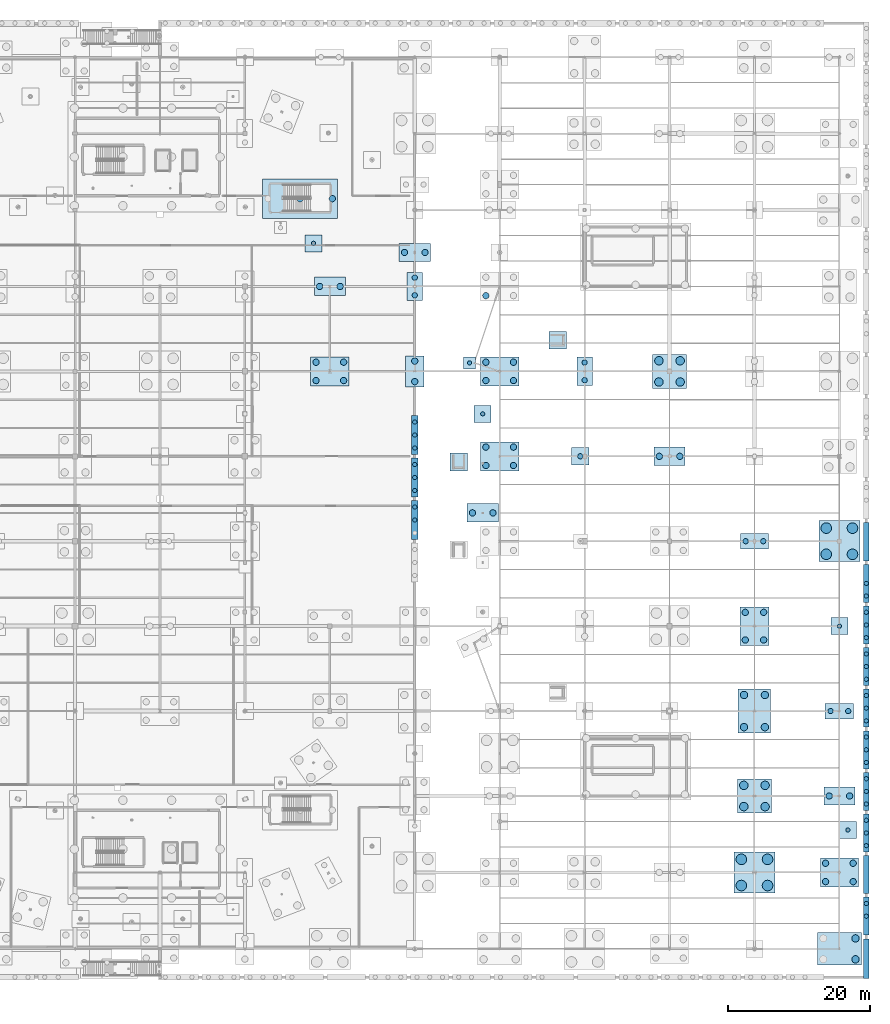
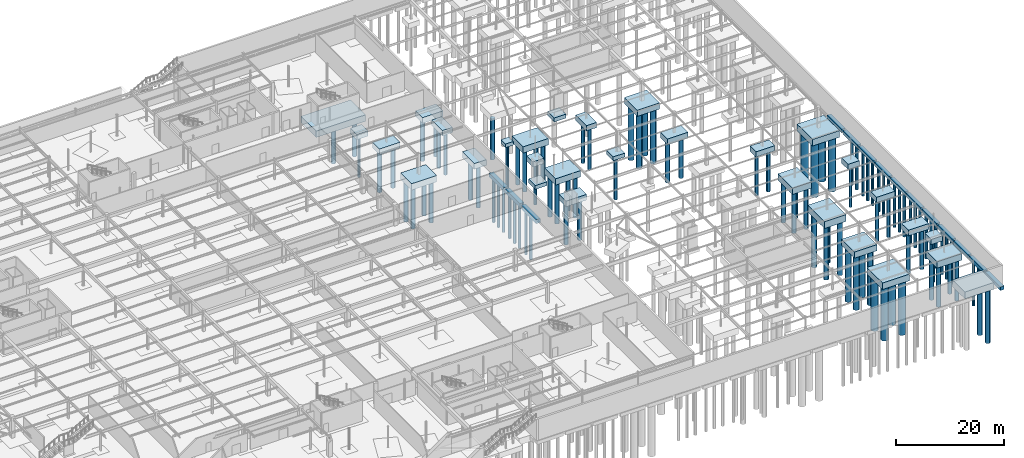
# One storey, part 7 of 136: 101 piles, 44 footings.
"""IFC4 building model written with IfcOpenShell, lengths in metres."""

import ifcopenshell
import ifcopenshell.guid

model = None  # the IFC model being written
_history = None  # IfcOwnerHistory: only IFC2X3 demands one
_inside = {}  # id of a spatial element -> (the spatial element, [elements in it])
_under = {}  # id of a project, library or spatial element -> (it, [spatial elements below it])
_declared = {}  # id of a project -> (the project, [libraries it declares])
_typed = {}  # id of a type object -> (the type object, [elements of that type])
_made_of = {}  # id of a material, layer set ... -> (it, [elements and type objects made of it])


def new_model(schema):
    """Start an empty IFC model of exactly this schema.

    Asked for "IFC4X3", IfcOpenShell would pick the latest addendum, in which some entities
    have other attributes; the version numbers below select the first issue.
    IFC2X3 requires an IfcOwnerHistory on every rooted entity: one is made here for all.
    """
    global model, _history
    if schema == "IFC4X3":
        model = ifcopenshell.file(schema_version=(4, 3, 0, 0))
    else:
        model = ifcopenshell.file(schema=schema)
    _inside.clear()
    _under.clear()
    _declared.clear()
    _typed.clear()
    _made_of.clear()
    _history = None
    if model.schema == "IFC2X3":
        org = make("IfcOrganization", Name="unknown")
        user = make(
            "IfcPersonAndOrganization",
            ThePerson=make("IfcPerson", FamilyName="unknown"),
            TheOrganization=org,
        )
        app = make(
            "IfcApplication",
            ApplicationDeveloper=org,
            Version="unknown",
            ApplicationFullName="unknown",
            ApplicationIdentifier="unknown",
        )
        _history = make(
            "IfcOwnerHistory",
            OwningUser=user,
            OwningApplication=app,
            ChangeAction="ADDED",
            CreationDate=0,
        )
    return model


def make(cls, **values):
    """One entity of the class cls with the attributes given. An attribute that is None is left unset."""
    return model.create_entity(
        cls, **{name: value for name, value in values.items() if value is not None}
    )


def rooted(cls, **values):
    """An entity with a GlobalId (a new one), such as an element, a storey or a relation."""
    return make(cls, GlobalId=ifcopenshell.guid.new(), OwnerHistory=_history, **values)


def si_unit(unit_type, name, prefix=None):
    """IfcSIUnit, for example si_unit("LENGTHUNIT", "METRE", prefix="MILLI")."""
    return make("IfcSIUnit", UnitType=unit_type, Prefix=prefix, Name=name)


def assignment(units):
    """IfcUnitAssignment: the units of a project."""
    return None if units is None else make("IfcUnitAssignment", Units=units)


def point(xyz):
    """IfcCartesianPoint."""
    return None if xyz is None else make("IfcCartesianPoint", Coordinates=xyz)


def direction(xyz):
    """IfcDirection."""
    return None if xyz is None else make("IfcDirection", DirectionRatios=xyz)


def frame(location, z_axis=None, x_axis=None):
    """IfcAxis2Placement3D, a coordinate frame: its origin and axes. An axis left out is left unset."""
    return make(
        "IfcAxis2Placement3D",
        Location=point(location),
        Axis=direction(z_axis),
        RefDirection=direction(x_axis),
    )


def frame_2d(location, x_axis=None):
    """IfcAxis2Placement2D, a coordinate frame in the plane: its origin and x axis."""
    return make(
        "IfcAxis2Placement2D", Location=point(location), RefDirection=direction(x_axis)
    )


def origin():
    """The frame at (0, 0, 0) with its axes left unset."""
    return frame((0.0, 0.0, 0.0))


def origin_2d():
    """The frame at (0, 0) in the plane with its x axis left unset."""
    return frame_2d((0.0, 0.0))


def place(relative_to, where):
    """IfcLocalPlacement: puts the frame where relative to a parent placement (None: the world)."""
    return make(
        "IfcLocalPlacement", PlacementRelTo=relative_to, RelativePlacement=where
    )


def context(
    kind, dimensions, precision=None, world=None, true_north=None, identifier=None
):
    """IfcGeometricRepresentationContext, for example the 3D "Model" context."""
    return make(
        "IfcGeometricRepresentationContext",
        ContextIdentifier=identifier,
        ContextType=kind,
        CoordinateSpaceDimension=dimensions,
        Precision=precision,
        WorldCoordinateSystem=world,
        TrueNorth=true_north,
    )


def subcontext(parent, identifier, kind, view, scale=None):
    """IfcGeometricRepresentationSubContext, for example "Body" below "Model"."""
    return make(
        "IfcGeometricRepresentationSubContext",
        ContextIdentifier=identifier,
        ContextType=kind,
        ParentContext=parent,
        TargetScale=scale,
        TargetView=view,
    )


def project(units=None, contexts=None):
    """IfcProject with its units and contexts."""
    return rooted(
        "IfcProject",
        Name="project",
        RepresentationContexts=contexts,
        UnitsInContext=assignment(units),
    )


def spatial(cls, under=None, at=None, **own):
    """A site, building, storey or space (cls), placed at a placement, below another one or the project."""
    s = rooted(cls, ObjectPlacement=at, **own)
    if under is not None:
        _under.setdefault(under.id(), (under, []))[1].append(s)
    return s


def profile(cls, at=None, kind="AREA", **sizes):
    """A parametric profile (cls). Its sizes go by their IFC names, for example OverallWidth=200.0."""
    return make(cls, ProfileType=kind, Position=at, **sizes)


def rectangle(**sizes):
    """IfcRectangleProfileDef."""
    return profile("IfcRectangleProfileDef", **sizes)


def circle(**sizes):
    """IfcCircleProfileDef."""
    return profile("IfcCircleProfileDef", **sizes)


def extrude(swept, where, along, depth):
    """IfcExtrudedAreaSolid: the profile swept, set in the frame where, extruded along a direction by depth."""
    return make(
        "IfcExtrudedAreaSolid",
        SweptArea=swept,
        Position=where,
        ExtrudedDirection=direction(along),
        Depth=depth,
    )


def shape(context_of_items, identifier, shape_type, items):
    """IfcShapeRepresentation: the items that make up one representation, for example the "Body"."""
    return make(
        "IfcShapeRepresentation",
        ContextOfItems=context_of_items,
        RepresentationIdentifier=identifier,
        RepresentationType=shape_type,
        Items=items,
    )


def material(Name=None, Category=None):
    """IfcMaterial."""
    return make("IfcMaterial", Name=Name, Category=Category)


def material_profile(
    of_material, cross_section, Name=None, Category=None, Priority=None
):
    """IfcMaterialProfile: a cross section and its material."""
    return make(
        "IfcMaterialProfile",
        Name=Name,
        Material=of_material,
        Profile=cross_section,
        Priority=Priority,
        Category=Category,
    )


def profile_set(profiles, Name=None, composite=None):
    """IfcMaterialProfileSet."""
    return make(
        "IfcMaterialProfileSet",
        Name=Name,
        MaterialProfiles=profiles,
        CompositeProfile=composite,
    )


def made_of(thing, what):
    """Note that an element or type object is made of a material, layer set ...; save() writes the relation."""
    if what is not None:
        _made_of.setdefault(what.id(), (what, []))[1].append(thing)
    return thing


def type_object(cls, material=None, **own):
    """A type object (cls), such as IfcWallType, which elements share."""
    return made_of(rooted(cls, **own), material)


def element(
    cls,
    number,
    at=None,
    inside=None,
    cuts=None,
    type_object=None,
    material=None,
    context=None,
    identifier="Body",
    shape_type=None,
    held_by="IfcProductDefinitionShape",
    body=None,
    shapes=None,
    **own,
):
    """One element of the class cls, such as IfcWall. Its Tag is "e" and its number.

    at: its placement. inside: the storey or other place that contains it. cuts: it is an
    opening in that element (IfcRelVoidsElement). A single representation is given by context,
    identifier, shape_type and body (its items); several are given by shapes. held_by: the class
    of the entity that holds the representations. save() writes the other relations.
    """
    e = rooted(cls, Tag="e%d" % number, ObjectPlacement=at, **own)
    if body is not None:
        shapes = [shape(context, identifier, shape_type, body)]
    if shapes is not None:
        e.Representation = make(held_by, Representations=shapes)
    if inside is not None:
        _inside.setdefault(inside.id(), (inside, []))[1].append(e)
    if cuts is not None:
        rooted(
            "IfcRelVoidsElement", RelatingBuildingElement=cuts, RelatedOpeningElement=e
        )
    if type_object is not None:
        _typed.setdefault(type_object.id(), (type_object, []))[1].append(e)
    return made_of(e, material)


def aggregate(whole, parts):
    """IfcRelAggregates: a whole, such as a stair, and the parts it consists of."""
    return rooted("IfcRelAggregates", RelatingObject=whole, RelatedObjects=parts)


def save(model, path):
    """Write the relations noted so far, then the file.

    IfcRelAggregates (storeys below a building ...), IfcRelContainedInSpatialStructure (elements
    in a storey), IfcRelDefinesByType, IfcRelAssociatesMaterial and IfcRelDeclares: one each for
    every whole, place, type object, material and project.
    """
    for whole, parts in _under.values():
        aggregate(whole, parts)
    for where, things in _inside.values():
        rooted(
            "IfcRelContainedInSpatialStructure",
            RelatedElements=things,
            RelatingStructure=where,
        )
    for kind, things in _typed.values():
        rooted("IfcRelDefinesByType", RelatedObjects=things, RelatingType=kind)
    for what, things in _made_of.values():
        rooted("IfcRelAssociatesMaterial", RelatedObjects=things, RelatingMaterial=what)
    for by, libraries in _declared.values():
        rooted("IfcRelDeclares", RelatingContext=by, RelatedDefinitions=libraries)
    model.write(path)


model = new_model("IFC4")

# Units and contexts
model_context = context("Model", 3, precision=1e-05, world=origin(), true_north=direction((0.0, 1.0)))
body_context = subcontext(model_context, "Body", "Model", "MODEL_VIEW")
ifc_project = project(units=[si_unit("LENGTHUNIT", "METRE"), si_unit("AREAUNIT", "SQUARE_METRE"), si_unit("VOLUMEUNIT", "CUBIC_METRE"), si_unit("PLANEANGLEUNIT", "RADIAN"), si_unit("MASSUNIT", "GRAM", prefix="KILO")], contexts=[model_context])

# Site, building, storey
site_placement = place(None, origin())
site = spatial("IfcSite", under=ifc_project, at=site_placement, CompositionType="ELEMENT")
building_placement = place(site_placement, origin())
building = spatial("IfcBuilding", under=site, at=building_placement, Name="Tarnwether General Hospital", CompositionType="ELEMENT")
storey_placement = place(building_placement, frame((0.0, 0.0, -4.800048828125)))
storey = spatial("IfcBuildingStorey", under=building, at=storey_placement, Name="LG", CompositionType="ELEMENT", Elevation=-4.800048828125)

# Footings
ifc_material_1 = material(Name="Concrete 40 MPa", Category="concrete")
footing_type_1 = type_object("IfcFootingType", Name="FT-PC1", PredefinedType="PILE_CAP", material=ifc_material_1)
for number, where, z_axis, x_axis, name in (
    (1, (192.0, 45.60009765625, -1.19970703125), (0.0, 0.0, 1.0), (1.0, 0.0, 0.0), "Pile Cap FT-CAP-0173"),
    (2, (141.60009765625, 75.60009765625, -1.19970703125), (0.0, 0.0, 1.0), (1.0, 0.0, 0.0), "Pile Cap FT-CAP-0186"),
    (3, (117.696044921875, 99.697998046875, -1.19970703125), (0.0, 0.0, 1.0), (1.0, 0.0, 0.0), "Pile Cap FT-CAP-0207"),
    (4, (193.199951171875, 16.800048828125, -1.19970703125), (0.0, 0.0, 1.0), (1.0, 0.0, 0.0), "Pile Cap FT-CAP-0248"),
):
    element("IfcFooting", number, at=place(storey_placement, frame(where, z_axis=z_axis, x_axis=x_axis)), inside=storey, type_object=footing_type_1, Name=name, PredefinedType="PILE_CAP", context=body_context, shape_type="SweptSolid", body=[
        extrude(rectangle(XDim=2.39990234375, YDim=2.39990234375, at=origin_2d()), origin(), (0.0, 0.0, 1.0), 1.199951171875),
    ])
ifc_material_2 = material(Name="Concrete 40 MPa", Category="concrete")
footing_type_2 = type_object("IfcFootingType", Name="FT-PC2", PredefinedType="PILE_CAP", material=ifc_material_2)
for number, where, z_axis, x_axis, name in (
    (5, (132.0, 93.60009765625, -1.19970703125), (0.0, 0.0, 1.0), (0.0, 1.0, 0.0), "Pile Cap FT-CAP-0125"),
    (6, (156.0, 81.60009765625, -1.19970703125), (0.0, 0.0, 1.0), (0.0, 1.0, 0.0), "Pile Cap FT-CAP-0146"),
    (7, (192.0, 33.60009765625, -1.19970703125), (0.0, 0.0, 1.0), (1.0, 0.0, 0.0), "Pile Cap FT-CAP-0172"),
    (8, (180.0, 57.60009765625, -1.19970703125), (0.0, 0.0, 1.0), (1.0, 0.0, 0.0), "Pile Cap FT-CAP-0244"),
):
    element("IfcFooting", number, at=place(storey_placement, frame(where, z_axis=z_axis, x_axis=x_axis)), inside=storey, type_object=footing_type_2, Name=name, PredefinedType="PILE_CAP", context=body_context, shape_type="SweptSolid", body=[
        extrude(rectangle(XDim=4.0, YDim=2.199951171875, at=origin_2d()), origin(), (0.0, 0.0, 1.0), 1.199951171875),
    ])
ifc_material_3 = material(Name="Concrete 40 MPa", Category="concrete")
footing_type_3 = type_object("IfcFootingType", Name="FT-PC3", PredefinedType="PILE_CAP", material=ifc_material_3)
for number, where, z_axis, x_axis, name in (
    (9, (120.0, 93.60009765625, -1.2998046875), (0.0, 0.0, 1.0), (1.0, 0.0, 0.0), "Pile Cap FT-CAP-0117"),
    (10, (132.0, 81.60009765625, -1.2998046875), (0.0, 0.0, 1.0), (0.0, 1.0, 0.0), "Pile Cap FT-CAP-0124"),
    (11, (192.0, 21.60009765625, -1.2998046875), (0.0, 0.0, 1.0), (1.0, 0.0, 0.0), "Pile Cap FT-CAP-0171"),
    (12, (141.60009765625, 61.60009765625, -1.2998046875), (0.0, 0.0, 1.0), (1.0, 0.0, 0.0), "Pile Cap FT-CAP-0185"),
    (13, (132.0, 98.39990234375, -1.2998046875), (0.0, 0.0, 1.0), (1.0, 0.0, 0.0), "Pile Cap FT-CAP-0230"),
    (14, (168.0, 69.60009765625, -1.2998046875), (0.0, 0.0, 1.0), (1.0, 0.0, 0.0), "Pile Cap FT-CAP-0243"),
):
    element("IfcFooting", number, at=place(storey_placement, frame(where, z_axis=z_axis, x_axis=x_axis)), inside=storey, type_object=footing_type_3, Name=name, PredefinedType="PILE_CAP", context=body_context, shape_type="SweptSolid", body=[
        extrude(rectangle(XDim=4.39990234375, YDim=2.60009765625, at=origin_2d()), origin(), (0.0, 0.0, 1.0), 1.300048828125),
    ])
ifc_material_4 = material(Name="Concrete 40 MPa", Category="concrete")
footing_type_4 = type_object("IfcFootingType", Name="FT-PC4", PredefinedType="PILE_CAP", material=ifc_material_4)
for number, where, z_axis, x_axis, name in (
    (15, (168.0, 81.60009765625, -1.39990234375), (0.0, 0.0, 1.0), (1.0, 0.0, 0.0), "Pile Cap FT-CAP-0155"),
    (16, (180.0, 21.60009765625, -1.39990234375), (0.0, 0.0, 1.0), (0.0, 1.0, 0.0), "Pile Cap FT-CAP-0161"),
):
    element("IfcFooting", number, at=place(storey_placement, frame(where, z_axis=z_axis, x_axis=x_axis)), inside=storey, type_object=footing_type_4, Name=name, PredefinedType="PILE_CAP", context=body_context, shape_type="SweptSolid", body=[
        extrude(rectangle(XDim=4.800048828125, YDim=4.800048828125, at=origin_2d()), origin(), (0.0, 0.0, 1.0), 1.39990234375),
    ])
ifc_material_5 = material(Name="Concrete 40 MPa", Category="concrete")
footing_type_5 = type_object("IfcFootingType", Name="FT-PC5", PredefinedType="PILE_CAP", material=ifc_material_5)
for number, where, z_axis, x_axis, name in (
    (17, (180.0, 10.800048828125, -1.5), (0.0, 0.0, 1.0), (0.0, 1.0, 0.0), "Pile Cap FT-CAP-0160"),
    (18, (192.0, 57.60009765625, -1.5), (0.0, 0.0, 1.0), (1.0, 0.0, 0.0), "Pile Cap FT-CAP-0246"),
):
    element("IfcFooting", number, at=place(storey_placement, frame(where, z_axis=z_axis, x_axis=x_axis)), inside=storey, type_object=footing_type_5, Name=name, PredefinedType="PILE_CAP", context=body_context, shape_type="SweptSolid", body=[
        extrude(rectangle(XDim=5.800048828125, YDim=5.800048828125, at=origin_2d()), origin(), (0.0, 0.0, 1.0), 1.5),
    ])
ifc_material_6 = material(Name="Concrete 40 MPa", Category="concrete")
footing_type_6 = type_object("IfcFootingType", Name="FT-PC6", PredefinedType="PILE_CAP", material=ifc_material_6)
for number, where, z_axis, x_axis, name in (
    (19, (120.0, 81.60009765625, -1.44970703125), (0.0, 0.0, 1.0), (1.0, 0.0, 0.0), "Pile Cap FT-CAP-0116"),
    (20, (144.0, 69.60009765625, -1.44970703125), (0.0, 0.0, 1.0), (1.0, 0.0, 0.0), "Pile Cap FT-CAP-0135"),
    (21, (144.0, 81.60009765625, -1.44970703125), (0.0, 0.0, 1.0), (1.0, 0.0, 0.0), "Pile Cap FT-CAP-0136"),
    (22, (180.0, 45.60009765625, -1.44970703125), (0.0, 0.0, 1.0), (0.0, 1.0, 0.0), "Pile Cap FT-CAP-0163"),
    (23, (192.0, 10.800048828125, -1.44970703125), (0.0, 0.0, 1.0), (1.0, 0.0, 0.0), "Pile Cap FT-CAP-0170"),
):
    element("IfcFooting", number, at=place(storey_placement, frame(where, z_axis=z_axis, x_axis=x_axis)), inside=storey, type_object=footing_type_6, Name=name, PredefinedType="PILE_CAP", context=body_context, shape_type="SweptSolid", body=[
        extrude(rectangle(XDim=5.39990234375, YDim=4.10009765625, at=origin_2d()), origin(), (0.0, 0.0, 1.0), 1.449951171875),
    ])
ifc_material_7 = material(Name="Concrete 40 MPa", Category="concrete")
footing_type_7 = type_object("IfcFootingType", Name="FT-PC7", PredefinedType="PILE_CAP", material=ifc_material_7)
for number, where, z_axis, x_axis, name in (
    (24, (180.0, 33.60009765625, -1.5498046875), (0.0, 0.0, 1.0), (0.0, 1.0, 0.0), "Pile Cap FT-CAP-0162"),
    (25, (192.0, 0.0, -1.5498046875), (0.0, 0.0, 1.0), (1.0, 0.0, 0.0), "Pile Cap FT-CAP-0169"),
):
    element("IfcFooting", number, at=place(storey_placement, frame(where, z_axis=z_axis, x_axis=x_axis)), inside=storey, type_object=footing_type_7, Name=name, PredefinedType="PILE_CAP", context=body_context, shape_type="SweptSolid", body=[
        extrude(rectangle(XDim=6.199951171875, YDim=4.60009765625, at=origin_2d()), origin(), (0.0, 0.0, 1.0), 1.550048828125),
    ])
ifc_material_8 = material(Name="Concrete 40 MPa", Category="concrete")
footing_type_8 = type_object("IfcFootingType", Name="FT-PC8", PredefinedType="PILE_CAP", material=ifc_material_8)
footing_1_placement = place(storey_placement, frame((115.800048828125, 106.0, -1.44970703125), z_axis=(0.0, 0.0, 1.0), x_axis=(1.0, 0.0, 0.0)))
element("IfcFooting", 26, at=footing_1_placement, inside=storey, type_object=footing_type_8, Name="Pile Cap FT-CAP-0008", PredefinedType="PILE_CAP", context=body_context, shape_type="SweptSolid", body=[
    extrude(rectangle(XDim=10.60009765625, YDim=5.60009765625, at=origin_2d()), origin(), (0.0, 0.0, 1.0), 1.449951171875),
])
ifc_material_9 = material(Name="Concrete 40 MPa", Category="concrete")
footing_type_9 = type_object("IfcFootingType", Name="FT-PF2", PredefinedType="PAD_FOOTING", material=ifc_material_9)
for number, where, z_axis, x_axis, name in (
    (27, (155.39990234375, 69.60009765625, -0.89990234375), (0.0, 0.0, 1.0), (1.0, 0.0, 0.0), "Pad Footing FT-PAD-0241"),
    (28, (138.199951171875, 68.800048828125, -0.89990234375), (0.0, 0.0, 1.0), (0.0, -1.0, 0.0), "Feature Stair Pad Footing ST-12"),
    (29, (152.199951171875, 86.0, -0.89990234375), (0.0, 0.0, 1.0), (1.0, 0.0, 0.0), "Feature Stair Pad Footing ST-14"),
):
    element("IfcFooting", number, at=place(storey_placement, frame(where, z_axis=z_axis, x_axis=x_axis)), inside=storey, type_object=footing_type_9, Name=name, PredefinedType="PAD_FOOTING", context=body_context, shape_type="SweptSolid", body=[
        extrude(rectangle(XDim=2.5, YDim=2.5, at=origin_2d()), origin(), (0.0, 0.0, 1.0), 0.89990234375),
    ])
ifc_material_10 = material(Name="Concrete 40 MPa", Category="concrete")
footing_type_10 = type_object("IfcFootingType", Name="FT-PF5", PredefinedType="PAD_FOOTING", material=ifc_material_10)
footing_2_placement = place(storey_placement, frame((139.75, 82.800048828125, -0.7998046875), z_axis=(0.0, 0.0, 1.0), x_axis=(1.0, 0.0, 0.0)))
element("IfcFooting", 30, at=footing_2_placement, inside=storey, type_object=footing_type_10, Name="Column Bearing Pad FT-PAD-0251", PredefinedType="PAD_FOOTING", context=body_context, shape_type="SweptSolid", body=[
    extrude(rectangle(XDim=1.699951171875, YDim=1.699951171875, at=origin_2d()), origin(), (0.0, 0.0, 1.0), 0.800048828125),
])
ifc_material_11 = material(Name="Concrete 40 MPa", Category="concrete")
footing_type_11 = type_object("IfcFootingType", Name="FT-SF1", PredefinedType="STRIP_FOOTING", material=ifc_material_11)
footing_3_placement = place(storey_placement, frame((195.800048828125, -1.385986328125, -0.7998046875), z_axis=(0.0, 0.0, 1.0), x_axis=(0.0, 1.0, 0.0)))
element("IfcFooting", 31, at=footing_3_placement, inside=storey, type_object=footing_type_11, Name="Retaining Strip Footing FT-SF-0059", PredefinedType="STRIP_FOOTING", context=body_context, shape_type="SweptSolid", body=[
    extrude(rectangle(XDim=5.6279296875, YDim=0.800048828125, at=origin_2d()), origin(), (0.0, 0.0, 1.0), 0.800048828125),
])
for number, where, z_axis, x_axis, name in (
    (32, (195.800048828125, 4.616943359375, -0.7998046875), (0.0, 0.0, 1.0), (0.0, 1.0, 0.0), "Retaining Strip Footing FT-SF-0060"),
    (33, (195.800048828125, 10.49609375, -0.7998046875), (0.0, 0.0, 1.0), (0.0, 1.0, 0.0), "Retaining Strip Footing FT-SF-0061"),
    (34, (195.800048828125, 16.3740234375, -0.7998046875), (0.0, 0.0, 1.0), (0.0, 1.0, 0.0), "Retaining Strip Footing FT-SF-0062"),
    (35, (195.800048828125, 22.251953125, -0.7998046875), (0.0, 0.0, 1.0), (0.0, 1.0, 0.0), "Retaining Strip Footing FT-SF-0063"),
    (36, (195.800048828125, 28.1298828125, -0.7998046875), (0.0, 0.0, 1.0), (0.0, 1.0, 0.0), "Retaining Strip Footing FT-SF-0064"),
    (37, (195.800048828125, 34.009033203125, -0.7998046875), (0.0, 0.0, 1.0), (0.0, 1.0, 0.0), "Retaining Strip Footing FT-SF-0065"),
    (38, (195.800048828125, 39.886962890625, -0.7998046875), (0.0, 0.0, 1.0), (0.0, 1.0, 0.0), "Retaining Strip Footing FT-SF-0066"),
    (39, (195.800048828125, 45.764892578125, -0.7998046875), (0.0, 0.0, 1.0), (0.0, 1.0, 0.0), "Retaining Strip Footing FT-SF-0067"),
    (40, (195.800048828125, 51.64306640625, -0.7998046875), (0.0, 0.0, 1.0), (0.0, 1.0, 0.0), "Retaining Strip Footing FT-SF-0068"),
    (41, (195.800048828125, 57.52197265625, -0.7998046875), (0.0, 0.0, 1.0), (0.0, 1.0, 0.0), "Retaining Strip Footing FT-SF-0069"),
):
    element("IfcFooting", number, at=place(storey_placement, frame(where, z_axis=z_axis, x_axis=x_axis)), inside=storey, type_object=footing_type_11, Name=name, PredefinedType="STRIP_FOOTING", context=body_context, shape_type="SweptSolid", body=[
        extrude(rectangle(XDim=5.3779296875, YDim=0.800048828125, at=origin_2d()), origin(), (0.0, 0.0, 1.0), 0.800048828125),
    ])
ifc_material_12 = material(Name="Concrete 40 MPa", Category="concrete")
footing_type_12 = type_object("IfcFootingType", Name="FT-SF2", PredefinedType="STRIP_FOOTING", material=ifc_material_12)
for number, where, z_axis, x_axis, name in (
    (42, (132.0, 60.60009765625, -0.89990234375), (0.0, 0.0, 1.0), (0.0, 1.0, 0.0), "Retaining Strip Footing FT-SF-0050"),
    (43, (132.0, 66.60009765625, -0.89990234375), (0.0, 0.0, 1.0), (0.0, 1.0, 0.0), "Retaining Strip Footing FT-SF-0051"),
    (44, (132.0, 72.60009765625, -0.89990234375), (0.0, 0.0, 1.0), (0.0, 1.0, 0.0), "Retaining Strip Footing FT-SF-0052"),
):
    element("IfcFooting", number, at=place(storey_placement, frame(where, z_axis=z_axis, x_axis=x_axis)), inside=storey, type_object=footing_type_12, Name=name, PredefinedType="STRIP_FOOTING", context=body_context, shape_type="SweptSolid", body=[
        extrude(rectangle(XDim=5.5, YDim=0.89990234375, at=origin_2d()), origin(), (0.0, 0.0, 1.0), 0.89990234375),
    ])

# Piles
ifc_material_13 = material(Name="Concrete 40 MPa", Category="concrete")
ifc_material_profile_1 = material_profile(ifc_material_13, circle(Radius=0.52490234375, at=origin_2d()), Name="PILE-D1050")
ifc_profile_set_1 = profile_set([ifc_material_profile_1], Name="Concrete 40 MPa")
pile_type_1 = type_object("IfcPileType", Name="PL-1050", PredefinedType="BORED", material=ifc_profile_set_1)
for number, where, z_axis, x_axis, name in (
    (45, (181.47509765625, 31.324951171875, -1.449951171875), (0.0, 0.0, -1.0), (1.0, 0.0, 0.0), "Bored Pile PLG-LG-1815_313-0497"),
    (46, (178.52490234375, 31.324951171875, -1.449951171875), (0.0, 0.0, -1.0), (1.0, 0.0, 0.0), "Bored Pile PLG-LG-1785_313-0498"),
    (47, (181.47509765625, 35.875, -1.449951171875), (0.0, 0.0, -1.0), (1.0, 0.0, 0.0), "Bored Pile PLG-LG-1815_359-0499"),
    (48, (178.52490234375, 35.875, -1.449951171875), (0.0, 0.0, -1.0), (1.0, 0.0, 0.0), "Bored Pile PLG-LG-1785_359-0500"),
    (49, (194.27490234375, -1.47509765625, -1.449951171875), (0.0, 0.0, -1.0), (1.0, 0.0, 0.0), "Bored Pile PLG-LG-1943_-15-0520"),
    (50, (194.27490234375, 1.47509765625, -1.449951171875), (0.0, 0.0, -1.0), (1.0, 0.0, 0.0), "Bored Pile PLG-LG-1943_15-0521"),
):
    element("IfcPile", number, at=place(storey_placement, frame(where, z_axis=z_axis, x_axis=x_axis)), inside=storey, type_object=pile_type_1, Name=name, PredefinedType="BORED", context=body_context, shape_type="SweptSolid", body=[
        extrude(circle(Radius=0.52490234375, at=origin_2d()), origin(), (0.0, 0.0, 1.0), 12.25),
    ])
ifc_material_14 = material(Name="Concrete 40 MPa", Category="concrete")
ifc_material_profile_2 = material_profile(ifc_material_14, circle(Radius=0.60009765625, at=origin_2d()), Name="PILE-D1200")
ifc_profile_set_2 = profile_set([ifc_material_profile_2], Name="Concrete 40 MPa")
pile_type_2 = type_object("IfcPileType", Name="PL-1200", PredefinedType="BORED", material=ifc_profile_set_2)
for number, where, z_axis, x_axis, name in (
    (51, (166.5, 80.10009765625, -1.300048828125), (0.0, 0.0, -1.0), (1.0, 0.0, 0.0), "Bored Pile PLG-LG-1665_801-0479"),
    (52, (166.5, 83.10009765625, -1.300048828125), (0.0, 0.0, -1.0), (1.0, 0.0, 0.0), "Bored Pile PLG-LG-1665_831-0480"),
    (53, (169.5, 80.10009765625, -1.300048828125), (0.0, 0.0, -1.0), (1.0, 0.0, 0.0), "Bored Pile PLG-LG-1695_801-0481"),
    (54, (169.5, 83.10009765625, -1.300048828125), (0.0, 0.0, -1.0), (1.0, 0.0, 0.0), "Bored Pile PLG-LG-1695_831-0482"),
    (55, (181.5, 20.10009765625, -1.300048828125), (0.0, 0.0, -1.0), (1.0, 0.0, 0.0), "Bored Pile PLG-LG-1815_201-0493"),
    (56, (178.5, 20.10009765625, -1.300048828125), (0.0, 0.0, -1.0), (1.0, 0.0, 0.0), "Bored Pile PLG-LG-1785_201-0494"),
    (57, (181.5, 23.10009765625, -1.300048828125), (0.0, 0.0, -1.0), (1.0, 0.0, 0.0), "Bored Pile PLG-LG-1815_231-0495"),
    (58, (178.5, 23.10009765625, -1.300048828125), (0.0, 0.0, -1.0), (1.0, 0.0, 0.0), "Bored Pile PLG-LG-1785_231-0496"),
):
    element("IfcPile", number, at=place(storey_placement, frame(where, z_axis=z_axis, x_axis=x_axis)), inside=storey, type_object=pile_type_2, Name=name, PredefinedType="BORED", context=body_context, shape_type="SweptSolid", body=[
        extrude(circle(Radius=0.60009765625, at=origin_2d()), origin(), (0.0, 0.0, 1.0), 12.39990234375),
    ])
ifc_material_15 = material(Name="Concrete 40 MPa", Category="concrete")
ifc_material_profile_3 = material_profile(ifc_material_15, circle(Radius=0.75, at=origin_2d()), Name="PILE-D1500")
ifc_profile_set_3 = profile_set([ifc_material_profile_3], Name="Concrete 40 MPa")
pile_type_3 = type_object("IfcPileType", Name="PL-1500", PredefinedType="BORED", material=ifc_profile_set_3)
for number, where, z_axis, x_axis, name in (
    (59, (181.85009765625, 8.949951171875, -1.39990234375), (0.0, 0.0, -1.0), (1.0, 0.0, 0.0), "Bored Pile PLG-LG-1818_90-0489"),
    (60, (178.14990234375, 8.949951171875, -1.39990234375), (0.0, 0.0, -1.0), (1.0, 0.0, 0.0), "Bored Pile PLG-LG-1782_90-0490"),
    (61, (181.85009765625, 12.64990234375, -1.39990234375), (0.0, 0.0, -1.0), (1.0, 0.0, 0.0), "Bored Pile PLG-LG-1818_126-0491"),
    (62, (178.14990234375, 12.64990234375, -1.39990234375), (0.0, 0.0, -1.0), (1.0, 0.0, 0.0), "Bored Pile PLG-LG-1782_126-0492"),
    (63, (190.14990234375, 55.75, -1.39990234375), (0.0, 0.0, -1.0), (1.0, 0.0, 0.0), "Bored Pile PLG-LG-1902_558-0642"),
    (64, (190.14990234375, 59.449951171875, -1.39990234375), (0.0, 0.0, -1.0), (1.0, 0.0, 0.0), "Bored Pile PLG-LG-1902_594-0643"),
    (65, (193.85009765625, 55.75, -1.39990234375), (0.0, 0.0, -1.0), (1.0, 0.0, 0.0), "Bored Pile PLG-LG-1938_558-0644"),
    (66, (193.85009765625, 59.449951171875, -1.39990234375), (0.0, 0.0, -1.0), (1.0, 0.0, 0.0), "Bored Pile PLG-LG-1938_594-0645"),
):
    element("IfcPile", number, at=place(storey_placement, frame(where, z_axis=z_axis, x_axis=x_axis)), inside=storey, type_object=pile_type_3, Name=name, PredefinedType="BORED", context=body_context, shape_type="SweptSolid", body=[
        extrude(circle(Radius=0.75, at=origin_2d()), origin(), (0.0, 0.0, 1.0), 12.300048828125),
    ])
ifc_material_16 = material(Name="Concrete 40 MPa", Category="concrete")
ifc_material_profile_4 = material_profile(ifc_material_16, circle(Radius=0.300048828125, at=origin_2d()), Name="PILE-D600")
ifc_profile_set_4 = profile_set([ifc_material_profile_4], Name="Concrete 40 MPa")
pile_type_4 = type_object("IfcPileType", Name="PL-600", PredefinedType="BORED", material=ifc_profile_set_4)
for number, where, z_axis, x_axis, name in (
    (67, (192.0, 45.60009765625, -1.099853515625), (0.0, 0.0, -1.0), (1.0, 0.0, 0.0), "Bored Pile PLG-LG-1920_456-0530"),
    (68, (141.60009765625, 75.60009765625, -1.099853515625), (0.0, 0.0, -1.0), (1.0, 0.0, 0.0), "Bored Pile PLG-LG-1416_756-0554"),
    (69, (117.696044921875, 99.697998046875, -1.099853515625), (0.0, 0.0, -1.0), (1.0, 0.0, 0.0), "Bored Pile PLG-LG-1177_997-0579"),
    (70, (193.199951171875, 16.800048828125, -1.099853515625), (0.0, 0.0, -1.0), (1.0, 0.0, 0.0), "Bored Pile PLG-LG-1932_168-0650"),
):
    element("IfcPile", number, at=place(storey_placement, frame(where, z_axis=z_axis, x_axis=x_axis)), inside=storey, type_object=pile_type_4, Name=name, PredefinedType="BORED", context=body_context, shape_type="SweptSolid", body=[
        extrude(circle(Radius=0.300048828125, at=origin_2d()), origin(), (0.0, 0.0, 1.0), 9.60009765625),
    ])
pile_1_placement = place(storey_placement, frame((139.75, 82.800048828125, -0.699951171875), z_axis=(0.0, 0.0, -1.0), x_axis=(1.0, 0.0, 0.0)))
element("IfcPile", 71, at=pile_1_placement, inside=storey, type_object=pile_type_4, Name="Bored Pile PLG-LG-1398_828-0654", PredefinedType="BORED", context=body_context, shape_type="SweptSolid", body=[
    extrude(circle(Radius=0.300048828125, at=origin_2d()), origin(), (0.0, 0.0, 1.0), 10.0),
])
for number, where, z_axis, x_axis, name in (
    (72, (132.0, 60.60009765625, -0.800048828125), (0.0, 0.0, -1.0), (1.0, 0.0, 0.0), "Bored Pile PLG-LG-1320_606-0665"),
    (73, (132.0, 62.43310546875, -0.800048828125), (0.0, 0.0, -1.0), (1.0, 0.0, 0.0), "Bored Pile PLG-LG-1320_624-0666"),
    (74, (132.0, 64.76708984375, -0.800048828125), (0.0, 0.0, -1.0), (1.0, 0.0, 0.0), "Bored Pile PLG-LG-1320_648-0667"),
    (75, (132.0, 66.60009765625, -0.800048828125), (0.0, 0.0, -1.0), (1.0, 0.0, 0.0), "Bored Pile PLG-LG-1320_666-0668"),
    (76, (132.0, 68.43310546875, -0.800048828125), (0.0, 0.0, -1.0), (1.0, 0.0, 0.0), "Bored Pile PLG-LG-1320_684-0669"),
    (77, (132.0, 70.76708984375, -0.800048828125), (0.0, 0.0, -1.0), (1.0, 0.0, 0.0), "Bored Pile PLG-LG-1320_708-0670"),
    (78, (132.0, 72.60009765625, -0.800048828125), (0.0, 0.0, -1.0), (1.0, 0.0, 0.0), "Bored Pile PLG-LG-1320_726-0671"),
    (79, (132.0, 74.43310546875, -0.800048828125), (0.0, 0.0, -1.0), (1.0, 0.0, 0.0), "Bored Pile PLG-LG-1320_744-0672"),
):
    element("IfcPile", number, at=place(storey_placement, frame(where, z_axis=z_axis, x_axis=x_axis)), inside=storey, type_object=pile_type_4, Name=name, PredefinedType="BORED", context=body_context, shape_type="SweptSolid", body=[
        extrude(circle(Radius=0.300048828125, at=origin_2d()), origin(), (0.0, 0.0, 1.0), 9.89990234375),
    ])
for number, where, z_axis, x_axis, name in (
    (80, (195.800048828125, 4.616943359375, -0.699951171875), (0.0, 0.0, -1.0), (1.0, 0.0, 0.0), "Bored Pile PLG-LG-1958_46-0689"),
    (81, (195.800048828125, 6.409912109375, -0.699951171875), (0.0, 0.0, -1.0), (1.0, 0.0, 0.0), "Bored Pile PLG-LG-1958_64-0690"),
    (82, (195.800048828125, 14.5810546875, -0.699951171875), (0.0, 0.0, -1.0), (1.0, 0.0, 0.0), "Bored Pile PLG-LG-1958_146-0691"),
    (83, (195.800048828125, 16.3740234375, -0.699951171875), (0.0, 0.0, -1.0), (1.0, 0.0, 0.0), "Bored Pile PLG-LG-1958_164-0692"),
    (84, (195.800048828125, 18.1669921875, -0.699951171875), (0.0, 0.0, -1.0), (1.0, 0.0, 0.0), "Bored Pile PLG-LG-1958_182-0693"),
    (85, (195.800048828125, 20.458984375, -0.699951171875), (0.0, 0.0, -1.0), (1.0, 0.0, 0.0), "Bored Pile PLG-LG-1958_205-0694"),
    (86, (195.800048828125, 22.251953125, -0.699951171875), (0.0, 0.0, -1.0), (1.0, 0.0, 0.0), "Bored Pile PLG-LG-1958_223-0695"),
    (87, (195.800048828125, 24.044921875, -0.699951171875), (0.0, 0.0, -1.0), (1.0, 0.0, 0.0), "Bored Pile PLG-LG-1958_240-0696"),
    (88, (195.800048828125, 26.337890625, -0.699951171875), (0.0, 0.0, -1.0), (1.0, 0.0, 0.0), "Bored Pile PLG-LG-1958_263-0697"),
    (89, (195.800048828125, 28.1298828125, -0.699951171875), (0.0, 0.0, -1.0), (1.0, 0.0, 0.0), "Bored Pile PLG-LG-1958_281-0698"),
    (90, (195.800048828125, 29.923095703125, -0.699951171875), (0.0, 0.0, -1.0), (1.0, 0.0, 0.0), "Bored Pile PLG-LG-1958_299-0699"),
    (91, (195.800048828125, 32.216064453125, -0.699951171875), (0.0, 0.0, -1.0), (1.0, 0.0, 0.0), "Bored Pile PLG-LG-1958_322-0700"),
    (92, (195.800048828125, 34.009033203125, -0.699951171875), (0.0, 0.0, -1.0), (1.0, 0.0, 0.0), "Bored Pile PLG-LG-1958_340-0701"),
    (93, (195.800048828125, 35.801025390625, -0.699951171875), (0.0, 0.0, -1.0), (1.0, 0.0, 0.0), "Bored Pile PLG-LG-1958_358-0702"),
    (94, (195.800048828125, 38.093994140625, -0.699951171875), (0.0, 0.0, -1.0), (1.0, 0.0, 0.0), "Bored Pile PLG-LG-1958_381-0703"),
    (95, (195.800048828125, 39.886962890625, -0.699951171875), (0.0, 0.0, -1.0), (1.0, 0.0, 0.0), "Bored Pile PLG-LG-1958_399-0704"),
    (96, (195.800048828125, 41.679931640625, -0.699951171875), (0.0, 0.0, -1.0), (1.0, 0.0, 0.0), "Bored Pile PLG-LG-1958_417-0705"),
    (97, (195.800048828125, 43.971923828125, -0.699951171875), (0.0, 0.0, -1.0), (1.0, 0.0, 0.0), "Bored Pile PLG-LG-1958_440-0706"),
    (98, (195.800048828125, 45.764892578125, -0.699951171875), (0.0, 0.0, -1.0), (1.0, 0.0, 0.0), "Bored Pile PLG-LG-1958_458-0707"),
    (99, (195.800048828125, 47.55810546875, -0.699951171875), (0.0, 0.0, -1.0), (1.0, 0.0, 0.0), "Bored Pile PLG-LG-1958_476-0708"),
    (100, (195.800048828125, 49.85107421875, -0.699951171875), (0.0, 0.0, -1.0), (1.0, 0.0, 0.0), "Bored Pile PLG-LG-1958_499-0709"),
    (101, (195.800048828125, 51.64306640625, -0.699951171875), (0.0, 0.0, -1.0), (1.0, 0.0, 0.0), "Bored Pile PLG-LG-1958_516-0710"),
):
    element("IfcPile", number, at=place(storey_placement, frame(where, z_axis=z_axis, x_axis=x_axis)), inside=storey, type_object=pile_type_4, Name=name, PredefinedType="BORED", context=body_context, shape_type="SweptSolid", body=[
        extrude(circle(Radius=0.300048828125, at=origin_2d()), origin(), (0.0, 0.0, 1.0), 10.0),
    ])
ifc_material_17 = material(Name="Concrete 40 MPa", Category="concrete")
ifc_material_profile_5 = material_profile(ifc_material_17, circle(Radius=0.375, at=origin_2d()), Name="PILE-D750")
ifc_profile_set_5 = profile_set([ifc_material_profile_5], Name="Concrete 40 MPa")
pile_type_5 = type_object("IfcPileType", Name="PL-750", PredefinedType="BORED", material=ifc_profile_set_5)
for number, where, z_axis, x_axis, name in (
    (102, (132.0, 92.35009765625, -1.099853515625), (0.0, 0.0, -1.0), (1.0, 0.0, 0.0), "Bored Pile PLG-LG-1320_924-0402"),
    (103, (132.0, 94.85009765625, -1.099853515625), (0.0, 0.0, -1.0), (1.0, 0.0, 0.0), "Bored Pile PLG-LG-1320_948-0403"),
    (104, (156.0, 80.35009765625, -1.099853515625), (0.0, 0.0, -1.0), (1.0, 0.0, 0.0), "Bored Pile PLG-LG-1560_804-0458"),
    (105, (156.0, 82.85009765625, -1.099853515625), (0.0, 0.0, -1.0), (1.0, 0.0, 0.0), "Bored Pile PLG-LG-1560_828-0459"),
    (106, (190.75, 33.60009765625, -1.099853515625), (0.0, 0.0, -1.0), (1.0, 0.0, 0.0), "Bored Pile PLG-LG-1908_336-0528"),
    (107, (193.25, 33.60009765625, -1.099853515625), (0.0, 0.0, -1.0), (1.0, 0.0, 0.0), "Bored Pile PLG-LG-1932_336-0529"),
):
    element("IfcPile", number, at=place(storey_placement, frame(where, z_axis=z_axis, x_axis=x_axis)), inside=storey, type_object=pile_type_5, Name=name, PredefinedType="BORED", context=body_context, shape_type="SweptSolid", body=[
        extrude(circle(Radius=0.375, at=origin_2d()), origin(), (0.0, 0.0, 1.0), 9.60009765625),
    ])
pile_2_placement = place(storey_placement, frame((155.39990234375, 69.60009765625, -0.800048828125), z_axis=(0.0, 0.0, -1.0), x_axis=(1.0, 0.0, 0.0)))
element("IfcPile", 108, at=pile_2_placement, inside=storey, type_object=pile_type_5, Name="Bored Pile PLG-LG-1554_696-0632", PredefinedType="BORED", context=body_context, shape_type="SweptSolid", body=[
    extrude(circle(Radius=0.375, at=origin_2d()), origin(), (0.0, 0.0, 1.0), 9.89990234375),
])
for number, where, z_axis, x_axis, name in (
    (109, (178.75, 57.60009765625, -1.099853515625), (0.0, 0.0, -1.0), (1.0, 0.0, 0.0), "Bored Pile PLG-LG-1788_576-0639"),
    (110, (181.25, 57.60009765625, -1.099853515625), (0.0, 0.0, -1.0), (1.0, 0.0, 0.0), "Bored Pile PLG-LG-1812_576-0640"),
):
    element("IfcPile", number, at=place(storey_placement, frame(where, z_axis=z_axis, x_axis=x_axis)), inside=storey, type_object=pile_type_5, Name=name, PredefinedType="BORED", context=body_context, shape_type="SweptSolid", body=[
        extrude(circle(Radius=0.375, at=origin_2d()), origin(), (0.0, 0.0, 1.0), 9.60009765625),
    ])
ifc_material_18 = material(Name="Concrete 40 MPa", Category="concrete")
ifc_material_profile_6 = material_profile(ifc_material_18, circle(Radius=0.449951171875, at=origin_2d()), Name="PILE-D900")
ifc_profile_set_6 = profile_set([ifc_material_profile_6], Name="Concrete 40 MPa")
pile_type_6 = type_object("IfcPileType", Name="PL-900", PredefinedType="BORED", material=ifc_profile_set_6)
for number, where, z_axis, x_axis, name in (
    (111, (115.800048828125, 106.0, -1.349853515625), (0.0, 0.0, -1.0), (1.0, 0.0, 0.0), "Bored Pile PLG-LG-1158_1060-0053"),
    (112, (120.35009765625, 106.0, -1.349853515625), (0.0, 0.0, -1.0), (1.0, 0.0, 0.0), "Bored Pile PLG-LG-1204_1060-0054"),
    (113, (118.050048828125, 80.300048828125, -1.349853515625), (0.0, 0.0, -1.0), (1.0, 0.0, 0.0), "Bored Pile PLG-LG-1180_803-0375"),
    (114, (118.050048828125, 82.89990234375, -1.349853515625), (0.0, 0.0, -1.0), (1.0, 0.0, 0.0), "Bored Pile PLG-LG-1180_829-0376"),
    (115, (121.949951171875, 80.300048828125, -1.349853515625), (0.0, 0.0, -1.0), (1.0, 0.0, 0.0), "Bored Pile PLG-LG-1220_803-0377"),
    (116, (121.949951171875, 82.89990234375, -1.349853515625), (0.0, 0.0, -1.0), (1.0, 0.0, 0.0), "Bored Pile PLG-LG-1220_829-0378"),
):
    element("IfcPile", number, at=place(storey_placement, frame(where, z_axis=z_axis, x_axis=x_axis)), inside=storey, type_object=pile_type_6, Name=name, PredefinedType="BORED", context=body_context, shape_type="SweptSolid", body=[
        extrude(circle(Radius=0.449951171875, at=origin_2d()), origin(), (0.0, 0.0, 1.0), 9.35009765625),
    ])
for number, where, z_axis, x_axis, name in (
    (117, (118.550048828125, 93.60009765625, -1.199951171875), (0.0, 0.0, -1.0), (1.0, 0.0, 0.0), "Bored Pile PLG-LG-1186_936-0379"),
    (118, (121.449951171875, 93.60009765625, -1.199951171875), (0.0, 0.0, -1.0), (1.0, 0.0, 0.0), "Bored Pile PLG-LG-1214_936-0380"),
    (119, (132.0, 80.14990234375, -1.199951171875), (0.0, 0.0, -1.0), (1.0, 0.0, 0.0), "Bored Pile PLG-LG-1320_802-0400"),
    (120, (132.0, 83.050048828125, -1.199951171875), (0.0, 0.0, -1.0), (1.0, 0.0, 0.0), "Bored Pile PLG-LG-1320_830-0401"),
):
    element("IfcPile", number, at=place(storey_placement, frame(where, z_axis=z_axis, x_axis=x_axis)), inside=storey, type_object=pile_type_6, Name=name, PredefinedType="BORED", context=body_context, shape_type="SweptSolid", body=[
        extrude(circle(Radius=0.449951171875, at=origin_2d()), origin(), (0.0, 0.0, 1.0), 9.5),
    ])
for number, where, z_axis, x_axis, name in (
    (121, (142.050048828125, 68.300048828125, -1.349853515625), (0.0, 0.0, -1.0), (1.0, 0.0, 0.0), "Bored Pile PLG-LG-1420_683-0430"),
    (122, (142.050048828125, 70.89990234375, -1.349853515625), (0.0, 0.0, -1.0), (1.0, 0.0, 0.0), "Bored Pile PLG-LG-1420_709-0431"),
    (123, (145.949951171875, 68.300048828125, -1.349853515625), (0.0, 0.0, -1.0), (1.0, 0.0, 0.0), "Bored Pile PLG-LG-1460_683-0432"),
    (124, (145.949951171875, 70.89990234375, -1.349853515625), (0.0, 0.0, -1.0), (1.0, 0.0, 0.0), "Bored Pile PLG-LG-1460_709-0433"),
    (125, (142.050048828125, 80.300048828125, -1.349853515625), (0.0, 0.0, -1.0), (1.0, 0.0, 0.0), "Bored Pile PLG-LG-1420_803-0434"),
    (126, (142.050048828125, 82.89990234375, -1.349853515625), (0.0, 0.0, -1.0), (1.0, 0.0, 0.0), "Bored Pile PLG-LG-1420_829-0435"),
    (127, (145.949951171875, 80.300048828125, -1.349853515625), (0.0, 0.0, -1.0), (1.0, 0.0, 0.0), "Bored Pile PLG-LG-1460_803-0436"),
    (128, (145.949951171875, 82.89990234375, -1.349853515625), (0.0, 0.0, -1.0), (1.0, 0.0, 0.0), "Bored Pile PLG-LG-1460_829-0437"),
    (129, (142.050048828125, 92.300048828125, -1.349853515625), (0.0, 0.0, -1.0), (1.0, 0.0, 0.0), "Bored Pile PLG-LG-1420_923-0438"),
    (130, (181.300048828125, 43.64990234375, -1.349853515625), (0.0, 0.0, -1.0), (1.0, 0.0, 0.0), "Bored Pile PLG-LG-1813_436-0501"),
    (131, (178.699951171875, 43.64990234375, -1.349853515625), (0.0, 0.0, -1.0), (1.0, 0.0, 0.0), "Bored Pile PLG-LG-1787_436-0502"),
    (132, (181.300048828125, 47.550048828125, -1.349853515625), (0.0, 0.0, -1.0), (1.0, 0.0, 0.0), "Bored Pile PLG-LG-1813_476-0503"),
    (133, (178.699951171875, 47.550048828125, -1.349853515625), (0.0, 0.0, -1.0), (1.0, 0.0, 0.0), "Bored Pile PLG-LG-1787_476-0504"),
    (134, (190.050048828125, 9.5, -1.349853515625), (0.0, 0.0, -1.0), (1.0, 0.0, 0.0), "Bored Pile PLG-LG-1900_95-0522"),
    (135, (190.050048828125, 12.10009765625, -1.349853515625), (0.0, 0.0, -1.0), (1.0, 0.0, 0.0), "Bored Pile PLG-LG-1900_121-0523"),
    (136, (193.949951171875, 9.5, -1.349853515625), (0.0, 0.0, -1.0), (1.0, 0.0, 0.0), "Bored Pile PLG-LG-1940_95-0524"),
    (137, (193.949951171875, 12.10009765625, -1.349853515625), (0.0, 0.0, -1.0), (1.0, 0.0, 0.0), "Bored Pile PLG-LG-1940_121-0525"),
):
    element("IfcPile", number, at=place(storey_placement, frame(where, z_axis=z_axis, x_axis=x_axis)), inside=storey, type_object=pile_type_6, Name=name, PredefinedType="BORED", context=body_context, shape_type="SweptSolid", body=[
        extrude(circle(Radius=0.449951171875, at=origin_2d()), origin(), (0.0, 0.0, 1.0), 9.35009765625),
    ])
for number, where, z_axis, x_axis, name in (
    (138, (190.550048828125, 21.60009765625, -1.199951171875), (0.0, 0.0, -1.0), (1.0, 0.0, 0.0), "Bored Pile PLG-LG-1906_216-0526"),
    (139, (193.449951171875, 21.60009765625, -1.199951171875), (0.0, 0.0, -1.0), (1.0, 0.0, 0.0), "Bored Pile PLG-LG-1934_216-0527"),
    (140, (140.14990234375, 61.60009765625, -1.199951171875), (0.0, 0.0, -1.0), (1.0, 0.0, 0.0), "Bored Pile PLG-LG-1402_616-0552"),
    (141, (143.050048828125, 61.60009765625, -1.199951171875), (0.0, 0.0, -1.0), (1.0, 0.0, 0.0), "Bored Pile PLG-LG-1430_616-0553"),
    (142, (130.550048828125, 98.39990234375, -1.199951171875), (0.0, 0.0, -1.0), (1.0, 0.0, 0.0), "Bored Pile PLG-LG-1306_984-0612"),
    (143, (133.449951171875, 98.39990234375, -1.199951171875), (0.0, 0.0, -1.0), (1.0, 0.0, 0.0), "Bored Pile PLG-LG-1334_984-0613"),
    (144, (166.550048828125, 69.60009765625, -1.199951171875), (0.0, 0.0, -1.0), (1.0, 0.0, 0.0), "Bored Pile PLG-LG-1666_696-0637"),
    (145, (169.449951171875, 69.60009765625, -1.199951171875), (0.0, 0.0, -1.0), (1.0, 0.0, 0.0), "Bored Pile PLG-LG-1694_696-0638"),
):
    element("IfcPile", number, at=place(storey_placement, frame(where, z_axis=z_axis, x_axis=x_axis)), inside=storey, type_object=pile_type_6, Name=name, PredefinedType="BORED", context=body_context, shape_type="SweptSolid", body=[
        extrude(circle(Radius=0.449951171875, at=origin_2d()), origin(), (0.0, 0.0, 1.0), 9.5),
    ])

save(model, "model.ifc")
